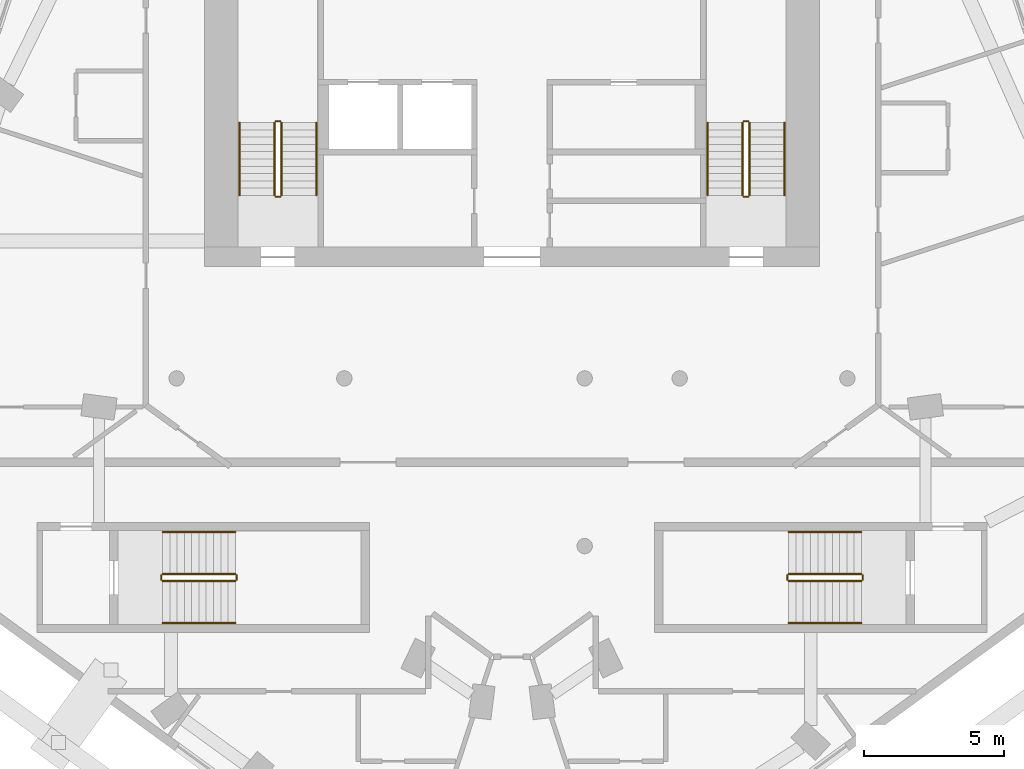
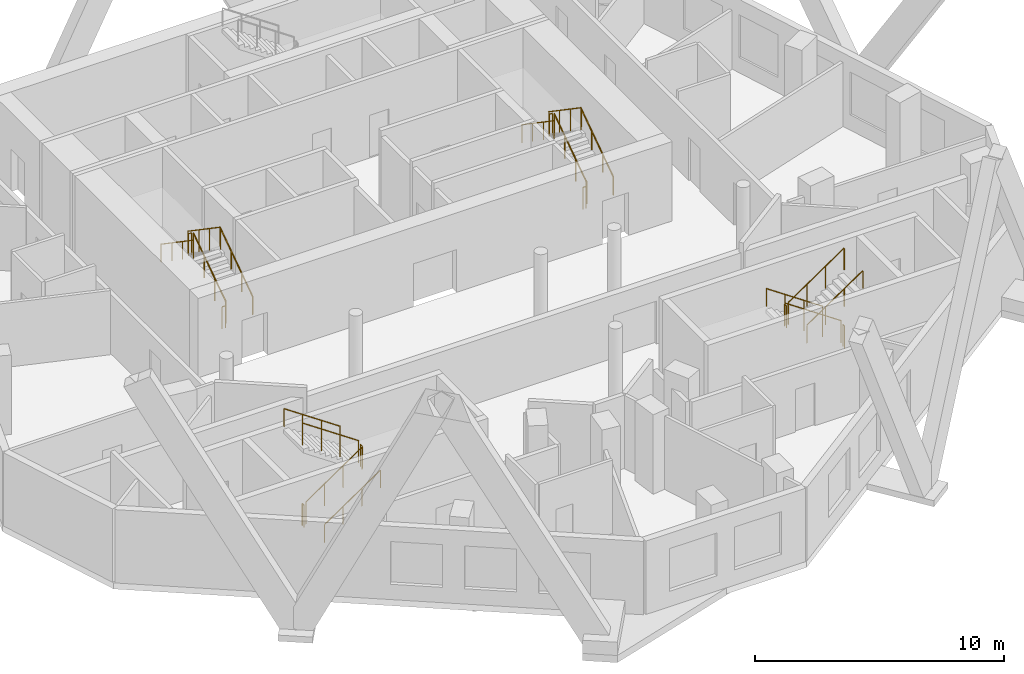
# One storey, part 7 of 8: 24 railings.
"""IFC4 building model written with IfcOpenShell, lengths in metres."""

from ifc_helpers import new_model, si_unit, direction, frame, origin, origin_2d, place, context, subcontext, project, spatial, circle, extrude, material, type_object, element, save


model = new_model("IFC4")

# Units and contexts
model_context = context("Model", 3, precision=1e-05, world=origin(), true_north=direction((0.0, 1.0)))
body_context = subcontext(model_context, "Body", "Model", "MODEL_VIEW")
ifc_project = project(units=[si_unit("LENGTHUNIT", "METRE"), si_unit("AREAUNIT", "SQUARE_METRE"), si_unit("VOLUMEUNIT", "CUBIC_METRE"), si_unit("PLANEANGLEUNIT", "RADIAN"), si_unit("MASSUNIT", "GRAM", prefix="KILO")], contexts=[model_context])

# Site, building, storey
site_placement = place(None, origin())
site = spatial("IfcSite", under=ifc_project, at=site_placement, CompositionType="ELEMENT")
building_placement = place(site_placement, origin())
building = spatial("IfcBuilding", under=site, at=building_placement, Name="White Candle Pilgrim Tower", CompositionType="ELEMENT")
storey_placement = place(building_placement, frame((0.0, 0.0, 283.39990234375)))
storey = spatial("IfcBuildingStorey", under=building, at=storey_placement, Name="L67", CompositionType="ELEMENT", Elevation=283.39990234375)

# Railings
ifc_material = material(Name="Stainless steel", Category="steel")
railing_type_1 = type_object("IfcRailingType", Name="Stair guard stainless steel 1100 mm", PredefinedType="GUARDRAIL", material=ifc_material)
railing_1_placement = place(storey_placement, frame((61.75, 73.550048828125, 0.177490234375)))
element("IfcRailing", 1, at=railing_1_placement, inside=storey, type_object=railing_type_1, Name="L67 ST1 stair guard 1", PredefinedType="GUARDRAIL", context=body_context, shape_type="SweptSolid", body=[
    extrude(circle(Radius=0.02392578125, at=origin_2d()), frame((0.0, 0.0, 1.076171875), z_axis=(0.0, 0.826215852431, 0.563353676824), x_axis=(-1.0, 0.0, 0.0)), (0.0, 0.0, 1.0), 3.146728515625),
    extrude(circle(Radius=0.02099609375, at=origin_2d()), origin(), (0.0, 0.0, 1.0), 1.052001953125),
    extrude(circle(Radius=0.02099609375, at=origin_2d()), frame((0.0, 0.86669921875, 0.5908203125)), (0.0, 0.0, 1.0), 1.052001953125),
    extrude(circle(Radius=0.02099609375, at=origin_2d()), frame((0.0, 1.733154296875, 1.181884765625)), (0.0, 0.0, 1.0), 1.052001953125),
    extrude(circle(Radius=0.02099609375, at=origin_2d()), frame((0.0, 2.599853515625, 1.772705078125)), (0.0, 0.0, 1.0), 1.052001953125),
])
railing_2_placement = place(storey_placement, frame((61.699951171875, 76.199951171875, 1.9501953125)))
element("IfcRailing", 2, at=railing_2_placement, inside=storey, type_object=railing_type_1, Name="L67 ST1 stair guard 2", PredefinedType="GUARDRAIL", context=body_context, shape_type="SweptSolid", body=[
    extrude(circle(Radius=0.02392578125, at=origin_2d()), frame((0.0, 0.0, 1.076171875), z_axis=(-1.0, 0.0, 0.0), x_axis=(0.0, -1.0, 0.0)), (0.0, 0.0, 1.0), 0.14990234375),
    extrude(circle(Radius=0.02099609375, at=origin_2d()), origin(), (0.0, 0.0, 1.0), 1.052001953125),
    extrude(circle(Radius=0.02099609375, at=origin_2d()), frame((-0.14990234375, 0.0, 0.0)), (0.0, 0.0, 1.0), 1.052001953125),
])
railing_3_placement = place(storey_placement, frame((61.5, 76.14990234375, 2.12744140625)))
element("IfcRailing", 3, at=railing_3_placement, inside=storey, type_object=railing_type_1, Name="L67 ST1 stair guard 3", PredefinedType="GUARDRAIL", context=body_context, shape_type="SweptSolid", body=[
    extrude(circle(Radius=0.02392578125, at=origin_2d()), frame((0.0, 0.0, 1.076171875), z_axis=(0.0, -0.826215852431, 0.563353676824), x_axis=(1.0, 0.0, 0.0)), (0.0, 0.0, 1.0), 3.146728515625),
    extrude(circle(Radius=0.02099609375, at=origin_2d()), origin(), (0.0, 0.0, 1.0), 1.052001953125),
    extrude(circle(Radius=0.02099609375, at=origin_2d()), frame((0.0, -0.86669921875, 0.5908203125)), (0.0, 0.0, 1.0), 1.052001953125),
    extrude(circle(Radius=0.02099609375, at=origin_2d()), frame((0.0, -1.733154296875, 1.181884765625)), (0.0, 0.0, 1.0), 1.052001953125),
    extrude(circle(Radius=0.02099609375, at=origin_2d()), frame((0.0, -2.599853515625, 1.772705078125)), (0.0, 0.0, 1.0), 1.052001953125),
])
railing_4_placement = place(storey_placement, frame((61.699951171875, 73.5, 0.0)))
element("IfcRailing", 4, at=railing_4_placement, inside=storey, type_object=railing_type_1, Name="L67 ST1 stair guard 4", PredefinedType="GUARDRAIL", context=body_context, shape_type="SweptSolid", body=[
    extrude(circle(Radius=0.02392578125, at=origin_2d()), frame((0.0, 0.0, 1.076171875), z_axis=(-1.0, 0.0, 0.0), x_axis=(0.0, -1.0, 0.0)), (0.0, 0.0, 1.0), 0.14990234375),
    extrude(circle(Radius=0.02099609375, at=origin_2d()), origin(), (0.0, 0.0, 1.0), 1.052001953125),
    extrude(circle(Radius=0.02099609375, at=origin_2d()), frame((-0.14990234375, 0.0, 0.0)), (0.0, 0.0, 1.0), 1.052001953125),
])
railing_5_placement = place(storey_placement, frame((78.5, 73.550048828125, 0.177490234375)))
element("IfcRailing", 5, at=railing_5_placement, inside=storey, type_object=railing_type_1, Name="L67 ST2 stair guard 1", PredefinedType="GUARDRAIL", context=body_context, shape_type="SweptSolid", body=[
    extrude(circle(Radius=0.02392578125, at=origin_2d()), frame((0.0, 0.0, 1.076171875), z_axis=(0.0, 0.826215852431, 0.563353676824), x_axis=(-1.0, 0.0, 0.0)), (0.0, 0.0, 1.0), 3.146728515625),
    extrude(circle(Radius=0.02099609375, at=origin_2d()), origin(), (0.0, 0.0, 1.0), 1.052001953125),
    extrude(circle(Radius=0.02099609375, at=origin_2d()), frame((0.0, 0.86669921875, 0.5908203125)), (0.0, 0.0, 1.0), 1.052001953125),
    extrude(circle(Radius=0.02099609375, at=origin_2d()), frame((0.0, 1.733154296875, 1.181884765625)), (0.0, 0.0, 1.0), 1.052001953125),
    extrude(circle(Radius=0.02099609375, at=origin_2d()), frame((0.0, 2.599853515625, 1.772705078125)), (0.0, 0.0, 1.0), 1.052001953125),
])
railing_6_placement = place(storey_placement, frame((78.449951171875, 76.199951171875, 1.9501953125)))
element("IfcRailing", 6, at=railing_6_placement, inside=storey, type_object=railing_type_1, Name="L67 ST2 stair guard 2", PredefinedType="GUARDRAIL", context=body_context, shape_type="SweptSolid", body=[
    extrude(circle(Radius=0.02392578125, at=origin_2d()), frame((0.0, 0.0, 1.076171875), z_axis=(-1.0, 0.0, 0.0), x_axis=(0.0, -1.0, 0.0)), (0.0, 0.0, 1.0), 0.14990234375),
    extrude(circle(Radius=0.02099609375, at=origin_2d()), origin(), (0.0, 0.0, 1.0), 1.052001953125),
    extrude(circle(Radius=0.02099609375, at=origin_2d()), frame((-0.14990234375, 0.0, 0.0)), (0.0, 0.0, 1.0), 1.052001953125),
])
railing_7_placement = place(storey_placement, frame((78.25, 76.14990234375, 2.12744140625)))
element("IfcRailing", 7, at=railing_7_placement, inside=storey, type_object=railing_type_1, Name="L67 ST2 stair guard 3", PredefinedType="GUARDRAIL", context=body_context, shape_type="SweptSolid", body=[
    extrude(circle(Radius=0.02392578125, at=origin_2d()), frame((0.0, 0.0, 1.076171875), z_axis=(0.0, -0.826215852431, 0.563353676824), x_axis=(1.0, 0.0, 0.0)), (0.0, 0.0, 1.0), 3.146728515625),
    extrude(circle(Radius=0.02099609375, at=origin_2d()), origin(), (0.0, 0.0, 1.0), 1.052001953125),
    extrude(circle(Radius=0.02099609375, at=origin_2d()), frame((0.0, -0.86669921875, 0.5908203125)), (0.0, 0.0, 1.0), 1.052001953125),
    extrude(circle(Radius=0.02099609375, at=origin_2d()), frame((0.0, -1.733154296875, 1.181884765625)), (0.0, 0.0, 1.0), 1.052001953125),
    extrude(circle(Radius=0.02099609375, at=origin_2d()), frame((0.0, -2.599853515625, 1.772705078125)), (0.0, 0.0, 1.0), 1.052001953125),
])
railing_8_placement = place(storey_placement, frame((78.449951171875, 73.5, 0.0)))
element("IfcRailing", 8, at=railing_8_placement, inside=storey, type_object=railing_type_1, Name="L67 ST2 stair guard 4", PredefinedType="GUARDRAIL", context=body_context, shape_type="SweptSolid", body=[
    extrude(circle(Radius=0.02392578125, at=origin_2d()), frame((0.0, 0.0, 1.076171875), z_axis=(-1.0, 0.0, 0.0), x_axis=(0.0, -1.0, 0.0)), (0.0, 0.0, 1.0), 0.14990234375),
    extrude(circle(Radius=0.02099609375, at=origin_2d()), origin(), (0.0, 0.0, 1.0), 1.052001953125),
    extrude(circle(Radius=0.02099609375, at=origin_2d()), frame((-0.14990234375, 0.0, 0.0)), (0.0, 0.0, 1.0), 1.052001953125),
])
railing_9_placement = place(storey_placement, frame((82.5, 60.0, 0.177490234375)))
element("IfcRailing", 9, at=railing_9_placement, inside=storey, type_object=railing_type_1, Name="L67 ST4 stair guard 1", PredefinedType="GUARDRAIL", context=body_context, shape_type="SweptSolid", body=[
    extrude(circle(Radius=0.02392578125, at=origin_2d()), frame((0.0, 0.0, 1.076171875), z_axis=(-0.826240473404, 0.0, 0.563317565952), x_axis=(0.0, -1.0, 0.0)), (0.0, 0.0, 1.0), 3.14697265625),
    extrude(circle(Radius=0.02099609375, at=origin_2d()), origin(), (0.0, 0.0, 1.0), 1.052001953125),
    extrude(circle(Radius=0.02099609375, at=origin_2d()), frame((-0.86669921875, 0.0, 0.5908203125)), (0.0, 0.0, 1.0), 1.052001953125),
    extrude(circle(Radius=0.02099609375, at=origin_2d()), frame((-1.7333984375, 0.0, 1.181884765625)), (0.0, 0.0, 1.0), 1.052001953125),
    extrude(circle(Radius=0.02099609375, at=origin_2d()), frame((-2.60009765625, 0.0, 1.772705078125)), (0.0, 0.0, 1.0), 1.052001953125),
])
railing_10_placement = place(storey_placement, frame((79.85009765625, 59.949951171875, 1.9501953125)))
element("IfcRailing", 10, at=railing_10_placement, inside=storey, type_object=railing_type_1, Name="L67 ST4 stair guard 2", PredefinedType="GUARDRAIL", context=body_context, shape_type="SweptSolid", body=[
    extrude(circle(Radius=0.02392578125, at=origin_2d()), frame((0.0, 0.0, 1.076171875), z_axis=(0.0, -1.0, 0.0), x_axis=(1.0, 0.0, 0.0)), (0.0, 0.0, 1.0), 0.14990234375),
    extrude(circle(Radius=0.02099609375, at=origin_2d()), origin(), (0.0, 0.0, 1.0), 1.052001953125),
    extrude(circle(Radius=0.02099609375, at=origin_2d()), frame((0.0, -0.14990234375, 0.0)), (0.0, 0.0, 1.0), 1.052001953125),
])
railing_11_placement = place(storey_placement, frame((79.89990234375, 59.75, 2.12744140625)))
element("IfcRailing", 11, at=railing_11_placement, inside=storey, type_object=railing_type_1, Name="L67 ST4 stair guard 3", PredefinedType="GUARDRAIL", context=body_context, shape_type="SweptSolid", body=[
    extrude(circle(Radius=0.02392578125, at=origin_2d()), frame((0.0, 0.0, 1.076171875), z_axis=(0.826240473404, 0.0, 0.563317565952), x_axis=(0.0, 1.0, 0.0)), (0.0, 0.0, 1.0), 3.14697265625),
    extrude(circle(Radius=0.02099609375, at=origin_2d()), origin(), (0.0, 0.0, 1.0), 1.052001953125),
    extrude(circle(Radius=0.02099609375, at=origin_2d()), frame((0.86669921875, 0.0, 0.5908203125)), (0.0, 0.0, 1.0), 1.052001953125),
    extrude(circle(Radius=0.02099609375, at=origin_2d()), frame((1.7333984375, 0.0, 1.181884765625)), (0.0, 0.0, 1.0), 1.052001953125),
    extrude(circle(Radius=0.02099609375, at=origin_2d()), frame((2.60009765625, 0.0, 1.772705078125)), (0.0, 0.0, 1.0), 1.052001953125),
])
railing_12_placement = place(storey_placement, frame((82.550048828125, 59.949951171875, 0.0)))
element("IfcRailing", 12, at=railing_12_placement, inside=storey, type_object=railing_type_1, Name="L67 ST4 stair guard 4", PredefinedType="GUARDRAIL", context=body_context, shape_type="SweptSolid", body=[
    extrude(circle(Radius=0.02392578125, at=origin_2d()), frame((0.0, 0.0, 1.076171875), z_axis=(0.0, -1.0, 0.0), x_axis=(1.0, 0.0, 0.0)), (0.0, 0.0, 1.0), 0.14990234375),
    extrude(circle(Radius=0.02099609375, at=origin_2d()), origin(), (0.0, 0.0, 1.0), 1.052001953125),
    extrude(circle(Radius=0.02099609375, at=origin_2d()), frame((0.0, -0.14990234375, 0.0)), (0.0, 0.0, 1.0), 1.052001953125),
])
railing_13_placement = place(storey_placement, frame((57.5, 59.75, 0.177490234375)))
element("IfcRailing", 13, at=railing_13_placement, inside=storey, type_object=railing_type_1, Name="L67 ST5 stair guard 1", PredefinedType="GUARDRAIL", context=body_context, shape_type="SweptSolid", body=[
    extrude(circle(Radius=0.02392578125, at=origin_2d()), frame((0.0, 0.0, 1.076171875), z_axis=(0.826240473404, 0.0, 0.563317565952), x_axis=(0.0, 1.0, 0.0)), (0.0, 0.0, 1.0), 3.14697265625),
    extrude(circle(Radius=0.02099609375, at=origin_2d()), origin(), (0.0, 0.0, 1.0), 1.052001953125),
    extrude(circle(Radius=0.02099609375, at=origin_2d()), frame((0.86669921875, 0.0, 0.5908203125)), (0.0, 0.0, 1.0), 1.052001953125),
    extrude(circle(Radius=0.02099609375, at=origin_2d()), frame((1.7333984375, 0.0, 1.181884765625)), (0.0, 0.0, 1.0), 1.052001953125),
    extrude(circle(Radius=0.02099609375, at=origin_2d()), frame((2.60009765625, 0.0, 1.772705078125)), (0.0, 0.0, 1.0), 1.052001953125),
])
railing_14_placement = place(storey_placement, frame((60.14990234375, 59.800048828125, 1.9501953125)))
element("IfcRailing", 14, at=railing_14_placement, inside=storey, type_object=railing_type_1, Name="L67 ST5 stair guard 2", PredefinedType="GUARDRAIL", context=body_context, shape_type="SweptSolid", body=[
    extrude(circle(Radius=0.02392578125, at=origin_2d()), frame((0.0, 0.0, 1.076171875), z_axis=(0.0, 1.0, 0.0), x_axis=(-1.0, 0.0, 0.0)), (0.0, 0.0, 1.0), 0.14990234375),
    extrude(circle(Radius=0.02099609375, at=origin_2d()), origin(), (0.0, 0.0, 1.0), 1.052001953125),
    extrude(circle(Radius=0.02099609375, at=origin_2d()), frame((0.0, 0.14990234375, 0.0)), (0.0, 0.0, 1.0), 1.052001953125),
])
railing_15_placement = place(storey_placement, frame((60.10009765625, 60.0, 2.12744140625)))
element("IfcRailing", 15, at=railing_15_placement, inside=storey, type_object=railing_type_1, Name="L67 ST5 stair guard 3", PredefinedType="GUARDRAIL", context=body_context, shape_type="SweptSolid", body=[
    extrude(circle(Radius=0.02392578125, at=origin_2d()), frame((0.0, 0.0, 1.076171875), z_axis=(-0.826240473404, 0.0, 0.563317565952), x_axis=(0.0, -1.0, 0.0)), (0.0, 0.0, 1.0), 3.14697265625),
    extrude(circle(Radius=0.02099609375, at=origin_2d()), origin(), (0.0, 0.0, 1.0), 1.052001953125),
    extrude(circle(Radius=0.02099609375, at=origin_2d()), frame((-0.86669921875, 0.0, 0.5908203125)), (0.0, 0.0, 1.0), 1.052001953125),
    extrude(circle(Radius=0.02099609375, at=origin_2d()), frame((-1.7333984375, 0.0, 1.181884765625)), (0.0, 0.0, 1.0), 1.052001953125),
    extrude(circle(Radius=0.02099609375, at=origin_2d()), frame((-2.60009765625, 0.0, 1.772705078125)), (0.0, 0.0, 1.0), 1.052001953125),
])
railing_16_placement = place(storey_placement, frame((57.449951171875, 59.800048828125, 0.0)))
element("IfcRailing", 16, at=railing_16_placement, inside=storey, type_object=railing_type_1, Name="L67 ST5 stair guard 4", PredefinedType="GUARDRAIL", context=body_context, shape_type="SweptSolid", body=[
    extrude(circle(Radius=0.02392578125, at=origin_2d()), frame((0.0, 0.0, 1.076171875), z_axis=(0.0, 1.0, 0.0), x_axis=(-1.0, 0.0, 0.0)), (0.0, 0.0, 1.0), 0.14990234375),
    extrude(circle(Radius=0.02099609375, at=origin_2d()), origin(), (0.0, 0.0, 1.0), 1.052001953125),
    extrude(circle(Radius=0.02099609375, at=origin_2d()), frame((0.0, 0.14990234375, 0.0)), (0.0, 0.0, 1.0), 1.052001953125),
])
railing_type_2 = type_object("IfcRailingType", Name="Stair handrail stainless steel", PredefinedType="HANDRAIL", material=ifc_material)
railing_17_placement = place(storey_placement, frame((63.0, 73.550048828125, 0.177490234375)))
element("IfcRailing", 17, at=railing_17_placement, inside=storey, type_object=railing_type_2, Name="L67 ST1 stair handrail 1", PredefinedType="HANDRAIL", context=body_context, shape_type="SweptSolid", body=[
    extrude(circle(Radius=0.02392578125, at=origin_2d()), frame((0.0, 0.0, 0.8759765625), z_axis=(0.0, 0.826215852431, 0.563353676824), x_axis=(-1.0, 0.0, 0.0)), (0.0, 0.0, 1.0), 3.146728515625),
    extrude(circle(Radius=0.02099609375, at=origin_2d()), origin(), (0.0, 0.0, 1.0), 0.851806640625),
    extrude(circle(Radius=0.02099609375, at=origin_2d()), frame((0.0, 0.86669921875, 0.5908203125)), (0.0, 0.0, 1.0), 0.851806640625),
    extrude(circle(Radius=0.02099609375, at=origin_2d()), frame((0.0, 1.733154296875, 1.181884765625)), (0.0, 0.0, 1.0), 0.851806640625),
    extrude(circle(Radius=0.02099609375, at=origin_2d()), frame((0.0, 2.599853515625, 1.772705078125)), (0.0, 0.0, 1.0), 0.851806640625),
])
railing_18_placement = place(storey_placement, frame((60.25, 76.14990234375, 2.12744140625)))
element("IfcRailing", 18, at=railing_18_placement, inside=storey, type_object=railing_type_2, Name="L67 ST1 stair handrail 2", PredefinedType="HANDRAIL", context=body_context, shape_type="SweptSolid", body=[
    extrude(circle(Radius=0.02392578125, at=origin_2d()), frame((0.0, 0.0, 0.8759765625), z_axis=(0.0, -0.826215852431, 0.563353676824), x_axis=(1.0, 0.0, 0.0)), (0.0, 0.0, 1.0), 3.146728515625),
    extrude(circle(Radius=0.02099609375, at=origin_2d()), origin(), (0.0, 0.0, 1.0), 0.851806640625),
    extrude(circle(Radius=0.02099609375, at=origin_2d()), frame((0.0, -0.86669921875, 0.5908203125)), (0.0, 0.0, 1.0), 0.851806640625),
    extrude(circle(Radius=0.02099609375, at=origin_2d()), frame((0.0, -1.733154296875, 1.181884765625)), (0.0, 0.0, 1.0), 0.851806640625),
    extrude(circle(Radius=0.02099609375, at=origin_2d()), frame((0.0, -2.599853515625, 1.772705078125)), (0.0, 0.0, 1.0), 0.851806640625),
])
railing_19_placement = place(storey_placement, frame((79.75, 73.550048828125, 0.177490234375)))
element("IfcRailing", 19, at=railing_19_placement, inside=storey, type_object=railing_type_2, Name="L67 ST2 stair handrail 1", PredefinedType="HANDRAIL", context=body_context, shape_type="SweptSolid", body=[
    extrude(circle(Radius=0.02392578125, at=origin_2d()), frame((0.0, 0.0, 0.8759765625), z_axis=(0.0, 0.826215852431, 0.563353676824), x_axis=(-1.0, 0.0, 0.0)), (0.0, 0.0, 1.0), 3.146728515625),
    extrude(circle(Radius=0.02099609375, at=origin_2d()), origin(), (0.0, 0.0, 1.0), 0.851806640625),
    extrude(circle(Radius=0.02099609375, at=origin_2d()), frame((0.0, 0.86669921875, 0.5908203125)), (0.0, 0.0, 1.0), 0.851806640625),
    extrude(circle(Radius=0.02099609375, at=origin_2d()), frame((0.0, 1.733154296875, 1.181884765625)), (0.0, 0.0, 1.0), 0.851806640625),
    extrude(circle(Radius=0.02099609375, at=origin_2d()), frame((0.0, 2.599853515625, 1.772705078125)), (0.0, 0.0, 1.0), 0.851806640625),
])
railing_20_placement = place(storey_placement, frame((77.0, 76.14990234375, 2.12744140625)))
element("IfcRailing", 20, at=railing_20_placement, inside=storey, type_object=railing_type_2, Name="L67 ST2 stair handrail 2", PredefinedType="HANDRAIL", context=body_context, shape_type="SweptSolid", body=[
    extrude(circle(Radius=0.02392578125, at=origin_2d()), frame((0.0, 0.0, 0.8759765625), z_axis=(0.0, -0.826215852431, 0.563353676824), x_axis=(1.0, 0.0, 0.0)), (0.0, 0.0, 1.0), 3.146728515625),
    extrude(circle(Radius=0.02099609375, at=origin_2d()), origin(), (0.0, 0.0, 1.0), 0.851806640625),
    extrude(circle(Radius=0.02099609375, at=origin_2d()), frame((0.0, -0.86669921875, 0.5908203125)), (0.0, 0.0, 1.0), 0.851806640625),
    extrude(circle(Radius=0.02099609375, at=origin_2d()), frame((0.0, -1.733154296875, 1.181884765625)), (0.0, 0.0, 1.0), 0.851806640625),
    extrude(circle(Radius=0.02099609375, at=origin_2d()), frame((0.0, -2.599853515625, 1.772705078125)), (0.0, 0.0, 1.0), 0.851806640625),
])
railing_21_placement = place(storey_placement, frame((82.5, 61.5, 0.177490234375)))
element("IfcRailing", 21, at=railing_21_placement, inside=storey, type_object=railing_type_2, Name="L67 ST4 stair handrail 1", PredefinedType="HANDRAIL", context=body_context, shape_type="SweptSolid", body=[
    extrude(circle(Radius=0.02392578125, at=origin_2d()), frame((0.0, 0.0, 0.8759765625), z_axis=(-0.826240473404, 0.0, 0.563317565952), x_axis=(0.0, -1.0, 0.0)), (0.0, 0.0, 1.0), 3.14697265625),
    extrude(circle(Radius=0.02099609375, at=origin_2d()), origin(), (0.0, 0.0, 1.0), 0.851806640625),
    extrude(circle(Radius=0.02099609375, at=origin_2d()), frame((-0.86669921875, 0.0, 0.5908203125)), (0.0, 0.0, 1.0), 0.851806640625),
    extrude(circle(Radius=0.02099609375, at=origin_2d()), frame((-1.7333984375, 0.0, 1.181884765625)), (0.0, 0.0, 1.0), 0.851806640625),
    extrude(circle(Radius=0.02099609375, at=origin_2d()), frame((-2.60009765625, 0.0, 1.772705078125)), (0.0, 0.0, 1.0), 0.851806640625),
])
for number, where, name in (
    (22, (79.89990234375, 58.25, 2.12744140625), "L67 ST4 stair handrail 2"),
    (23, (57.5, 58.25, 0.177490234375), "L67 ST5 stair handrail 1"),
):
    element("IfcRailing", number, at=place(storey_placement, frame(where)), inside=storey, type_object=railing_type_2, Name=name, PredefinedType="HANDRAIL", context=body_context, shape_type="SweptSolid", body=[
        extrude(circle(Radius=0.02392578125, at=origin_2d()), frame((0.0, 0.0, 0.8759765625), z_axis=(0.826240473404, 0.0, 0.563317565952), x_axis=(0.0, 1.0, 0.0)), (0.0, 0.0, 1.0), 3.14697265625),
        extrude(circle(Radius=0.02099609375, at=origin_2d()), origin(), (0.0, 0.0, 1.0), 0.851806640625),
        extrude(circle(Radius=0.02099609375, at=origin_2d()), frame((0.86669921875, 0.0, 0.5908203125)), (0.0, 0.0, 1.0), 0.851806640625),
        extrude(circle(Radius=0.02099609375, at=origin_2d()), frame((1.7333984375, 0.0, 1.181884765625)), (0.0, 0.0, 1.0), 0.851806640625),
        extrude(circle(Radius=0.02099609375, at=origin_2d()), frame((2.60009765625, 0.0, 1.772705078125)), (0.0, 0.0, 1.0), 0.851806640625),
    ])
railing_22_placement = place(storey_placement, frame((60.10009765625, 61.5, 2.12744140625)))
element("IfcRailing", 24, at=railing_22_placement, inside=storey, type_object=railing_type_2, Name="L67 ST5 stair handrail 2", PredefinedType="HANDRAIL", context=body_context, shape_type="SweptSolid", body=[
    extrude(circle(Radius=0.02392578125, at=origin_2d()), frame((0.0, 0.0, 0.8759765625), z_axis=(-0.826240473404, 0.0, 0.563317565952), x_axis=(0.0, -1.0, 0.0)), (0.0, 0.0, 1.0), 3.14697265625),
    extrude(circle(Radius=0.02099609375, at=origin_2d()), origin(), (0.0, 0.0, 1.0), 0.851806640625),
    extrude(circle(Radius=0.02099609375, at=origin_2d()), frame((-0.86669921875, 0.0, 0.5908203125)), (0.0, 0.0, 1.0), 0.851806640625),
    extrude(circle(Radius=0.02099609375, at=origin_2d()), frame((-1.7333984375, 0.0, 1.181884765625)), (0.0, 0.0, 1.0), 0.851806640625),
    extrude(circle(Radius=0.02099609375, at=origin_2d()), frame((-2.60009765625, 0.0, 1.772705078125)), (0.0, 0.0, 1.0), 0.851806640625),
])

save(model, "model.ifc")
